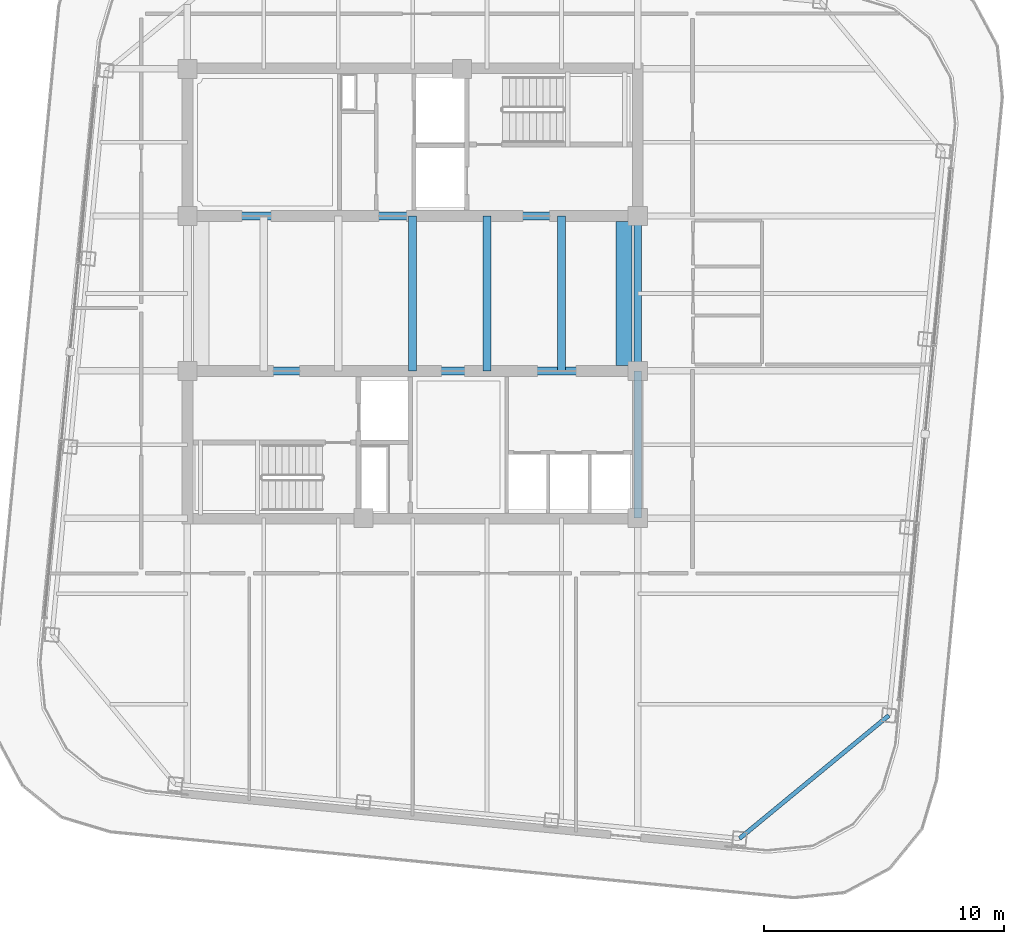
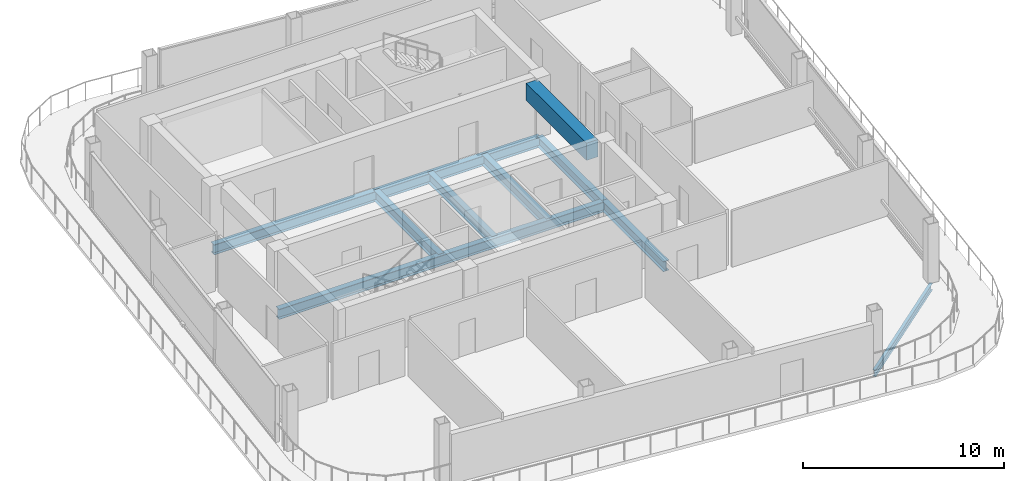
# One storey, part 7 of 23: 9 beams.
"""IFC4 building model written with IfcOpenShell, lengths in metres."""

from ifc_helpers import new_model, si_unit, direction, frame, origin, origin_2d, place, context, subcontext, project, spatial, rectangle, i_section, extrude, material, material_profile, profile_set, type_object, element, save


model = new_model("IFC4")

# Units and contexts
model_context = context("Model", 3, precision=1e-05, world=origin(), true_north=direction((0.0, 1.0)))
body_context = subcontext(model_context, "Body", "Model", "MODEL_VIEW")
ifc_project = project(units=[si_unit("LENGTHUNIT", "METRE"), si_unit("AREAUNIT", "SQUARE_METRE"), si_unit("VOLUMEUNIT", "CUBIC_METRE"), si_unit("PLANEANGLEUNIT", "RADIAN"), si_unit("MASSUNIT", "GRAM", prefix="KILO")], contexts=[model_context])

# Site, building, storey
site_placement = place(None, origin())
site = spatial("IfcSite", under=ifc_project, at=site_placement, CompositionType="ELEMENT")
building_placement = place(site_placement, origin())
building = spatial("IfcBuilding", under=site, at=building_placement, Name="Qhalaya Broadcast Tower", CompositionType="ELEMENT")
storey_placement = place(building_placement, frame((0.0, 0.0, 276.949951171875)))
storey = spatial("IfcBuildingStorey", under=building, at=storey_placement, Name="L82", CompositionType="ELEMENT", Elevation=276.949951171875)

# Beams
ifc_material_1 = material(Name="Structural Steel ASTM A992 Grade 50", Category="steel")
ifc_material_profile_1 = material_profile(ifc_material_1, i_section(OverallWidth=0.323974609375, OverallDepth=0.612060546875, WebThickness=0.0126953125, FlangeThickness=0.01904296875, at=origin_2d()), Name="W24X104")
ifc_profile_set_1 = profile_set([ifc_material_profile_1], Name="Structural Steel ASTM A992 Grade 50")
beam_type_1 = type_object("IfcBeamType", Name="Core Frame Tie Beam B04", PredefinedType="BEAM", material=ifc_profile_set_1)
for number, where, z_axis, x_axis, name in (
    (1, (-9.375, 3.824951171875, -0.495849609375), (1.0, 0.0, 0.0), (0.0, 1.0, 0.0), "L82 B04 L82-CCN1"),
    (2, (-9.375, -2.625, -0.495849609375), (1.0, 0.0, 0.0), (0.0, 1.0, 0.0), "L82 B04 L82-CCS1"),
):
    element("IfcBeam", number, at=place(storey_placement, frame(where, z_axis=z_axis, x_axis=x_axis)), inside=storey, type_object=beam_type_1, Name=name, PredefinedType="BEAM", context=body_context, shape_type="SweptSolid", body=[
        extrude(i_section(OverallWidth=0.323974609375, OverallDepth=0.612060546875, WebThickness=0.0126953125, FlangeThickness=0.01904296875, at=origin_2d()), origin(), (0.0, 0.0, 1.0), 18.75),
    ])
beam_1_placement = place(storey_placement, frame((9.375, -8.75, -0.495849609375), z_axis=(0.0, 1.0, 0.0), x_axis=(-1.0, 0.0, 0.0)))
element("IfcBeam", 3, at=beam_1_placement, inside=storey, type_object=beam_type_1, Name="L82 B04 L82-CCS2", PredefinedType="BEAM", context=body_context, shape_type="SweptSolid", body=[
    extrude(i_section(OverallWidth=0.323974609375, OverallDepth=0.612060546875, WebThickness=0.0126953125, FlangeThickness=0.01904296875, at=origin_2d()), origin(), (0.0, 0.0, 1.0), 6.125),
])
for number, where, z_axis, x_axis, name in (
    (4, (9.375, -2.625, -0.495849609375), (0.0, 1.0, 0.0), (-1.0, 0.0, 0.0), "L82 B04 L82-CCE"),
    (5, (0.0, -2.625, -0.495849609375), (0.0, 1.0, 0.0), (-1.0, 0.0, 0.0), "L82 B04 L82-JC3-1"),
    (6, (3.10009765625, -2.625, -0.495849609375), (0.0, 1.0, 0.0), (-1.0, 0.0, 0.0), "L82 B04 L82-JC4-1"),
    (7, (6.199951171875, -2.625, -0.495849609375), (0.0, 1.0, 0.0), (-1.0, 0.0, 0.0), "L82 B04 L82-JC5-1"),
):
    element("IfcBeam", number, at=place(storey_placement, frame(where, z_axis=z_axis, x_axis=x_axis)), inside=storey, type_object=beam_type_1, Name=name, PredefinedType="BEAM", context=body_context, shape_type="SweptSolid", body=[
        extrude(i_section(OverallWidth=0.323974609375, OverallDepth=0.612060546875, WebThickness=0.0126953125, FlangeThickness=0.01904296875, at=origin_2d()), origin(), (0.0, 0.0, 1.0), 6.449951171875),
    ])
ifc_material_2 = material(Name="Concrete C60/75", Category="concrete")
ifc_material_profile_2 = material_profile(ifc_material_2, rectangle(XDim=0.64990234375, YDim=1.050048828125, at=origin_2d()), Name="RC-CB 650x1050")
ifc_profile_set_2 = profile_set([ifc_material_profile_2], Name="Concrete C60/75")
beam_type_2 = type_object("IfcBeamType", Name="Split-Core RC Coupling Lintel CB1", PredefinedType="LINTEL", material=ifc_profile_set_2)
beam_2_placement = place(storey_placement, frame((8.800048828125, -2.39990234375, 2.885009765625), z_axis=(0.0, 1.0, 0.0), x_axis=(-1.0, 0.0, 0.0)))
element("IfcBeam", 8, at=beam_2_placement, inside=storey, type_object=beam_type_2, Name="L82 Core Coupling Lintel Beam E", PredefinedType="LINTEL", context=body_context, shape_type="SweptSolid", body=[
    extrude(rectangle(XDim=0.64990234375, YDim=1.050048828125, at=origin_2d()), origin(), (0.0, 0.0, 1.0), 6.0),
])
ifc_material_profile_3 = material_profile(ifc_material_1, i_section(OverallWidth=0.177978515625, OverallDepth=0.406005859375, WebThickness=0.0078125, FlangeThickness=0.0126953125, at=origin_2d()), Name="W16X40")
ifc_profile_set_3 = profile_set([ifc_material_profile_3], Name="Structural Steel ASTM A992 Grade 50")
beam_type_3 = type_object("IfcBeamType", Name="Upper Perimeter Spandrel Beam SP2", PredefinedType="SPANDREL", material=ifc_profile_set_3)
beam_3_placement = place(storey_placement, frame((13.6083984375, -22.09033203125, -0.39306640625), z_axis=(0.771631160126, 0.636070241972, 0.0), x_axis=(-0.636070241972, 0.771631160126, 0.0)))
element("IfcBeam", 9, at=beam_3_placement, inside=storey, type_object=beam_type_3, Name="L82 SP2 L82-SPR-04", PredefinedType="SPANDREL", context=body_context, shape_type="SweptSolid", body=[
    extrude(i_section(OverallWidth=0.177978515625, OverallDepth=0.406005859375, WebThickness=0.0078125, FlangeThickness=0.0126953125, at=origin_2d()), origin(), (0.0, 0.0, 1.0), 8.06103515625),
])

save(model, "model.ifc")
